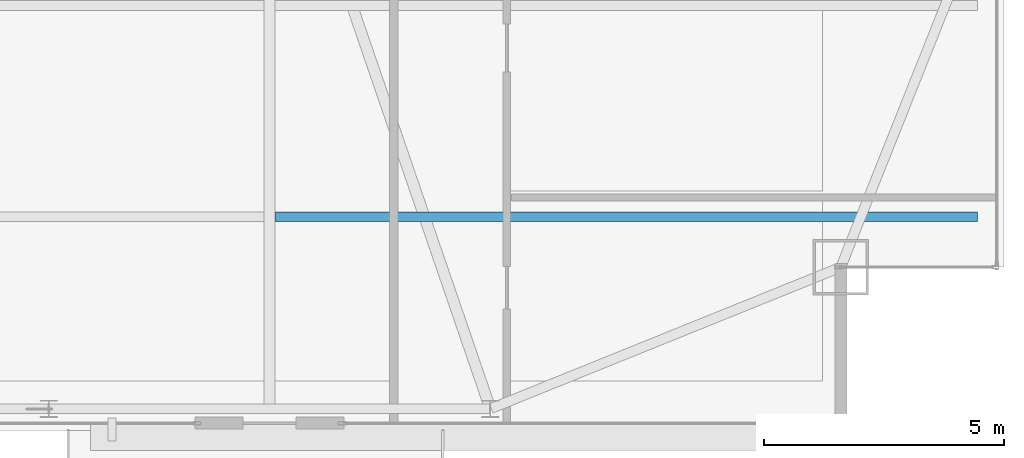
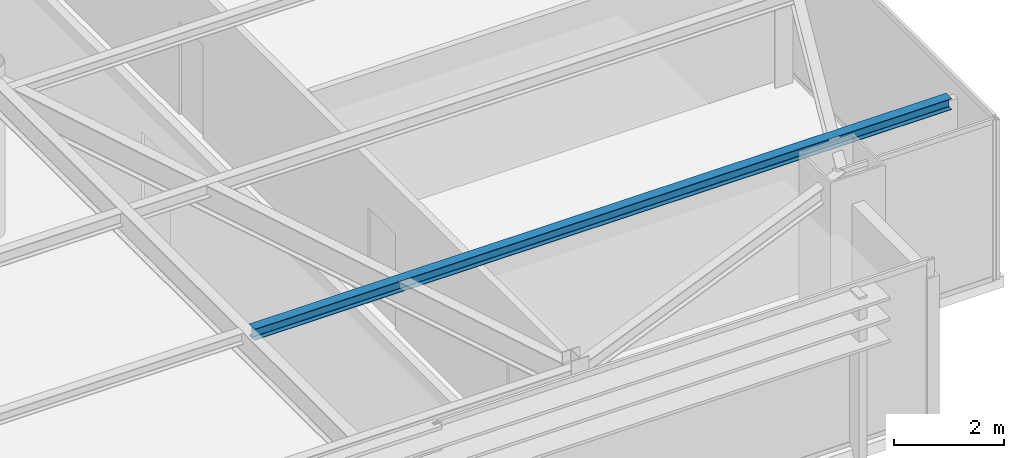
# One storey, part 14 of 30: 1 beam.
"""IFC4 building model written with IfcOpenShell, lengths in metres."""

from ifc_helpers import new_model, si_unit, direction, frame, origin, origin_2d, place, context, subcontext, project, spatial, i_section, extrude, source, transform, mapped, material, material_profile, profile_set, type_object, type_shapes, element, save


model = new_model("IFC4")

# Units and contexts
model_context = context("Model", 3, precision=1e-05, world=origin(), true_north=direction((0.0, 1.0)))
body_context = subcontext(model_context, "Body", "Model", "MODEL_VIEW")
ifc_project = project(units=[si_unit("LENGTHUNIT", "METRE"), si_unit("AREAUNIT", "SQUARE_METRE"), si_unit("VOLUMEUNIT", "CUBIC_METRE"), si_unit("PLANEANGLEUNIT", "RADIAN"), si_unit("MASSUNIT", "GRAM", prefix="KILO")], contexts=[model_context])

# Site, building, storey
site_placement = place(None, origin())
site = spatial("IfcSite", under=ifc_project, at=site_placement, CompositionType="ELEMENT")
building_placement = place(site_placement, origin())
building = spatial("IfcBuilding", under=site, at=building_placement, Name="Varnel Quay Broadcast Tower", CompositionType="ELEMENT")
storey_placement = place(building_placement, frame((0.0, 0.0, 211.199951171875)))
storey = spatial("IfcBuildingStorey", under=building, at=storey_placement, Name="L52", CompositionType="ELEMENT", Elevation=211.199951171875)

# Beam
ifc_material = material(Name="Structural Steel CSA G40.21 350W", Category="steel")
ifc_material_profile = material_profile(ifc_material, i_section(OverallWidth=0.201904296875, OverallDepth=0.2470703125, WebThickness=0.00732421875, FlangeThickness=0.010986328125, FilletRadius=0.010986328125, at=origin_2d()), Name="W250X49")
ifc_profile_set = profile_set([ifc_material_profile], Name="Structural Steel CSA G40.21 350W")
beam_type = type_object("IfcBeamType", Name="Beam_W250X49", PredefinedType="JOIST", material=ifc_profile_set)
shared_shape = source(origin(), body_context, "Body", "SweptSolid", [
    extrude(i_section(OverallWidth=0.201904296875, OverallDepth=0.2470703125, WebThickness=0.00732421875, FlangeThickness=0.010986328125, FilletRadius=0.010986328125, at=origin_2d()), origin(), (0.0, 0.0, 1.0), 14.642333984375),
])
type_shapes(beam_type, [shared_shape])
beam_placement = place(storey_placement, frame((43.31005859375, 14.64990234375, 3.426513671875), z_axis=(1.0, 0.0, 0.0), x_axis=(0.0, 1.0, 0.0)))
element("IfcBeam", 1, at=beam_placement, inside=storey, type_object=beam_type, Name="L52 East Floor Joist 1", PredefinedType="JOIST", context=body_context, shape_type="MappedRepresentation", body=[
    mapped(shared_shape, transform((0.0, 0.0, 0.0), x_axis=(1.0, 0.0, 0.0), y_axis=(0.0, 1.0, 0.0), z_axis=(0.0, 0.0, 1.0), scale=1.0)),
])

save(model, "model.ifc")
